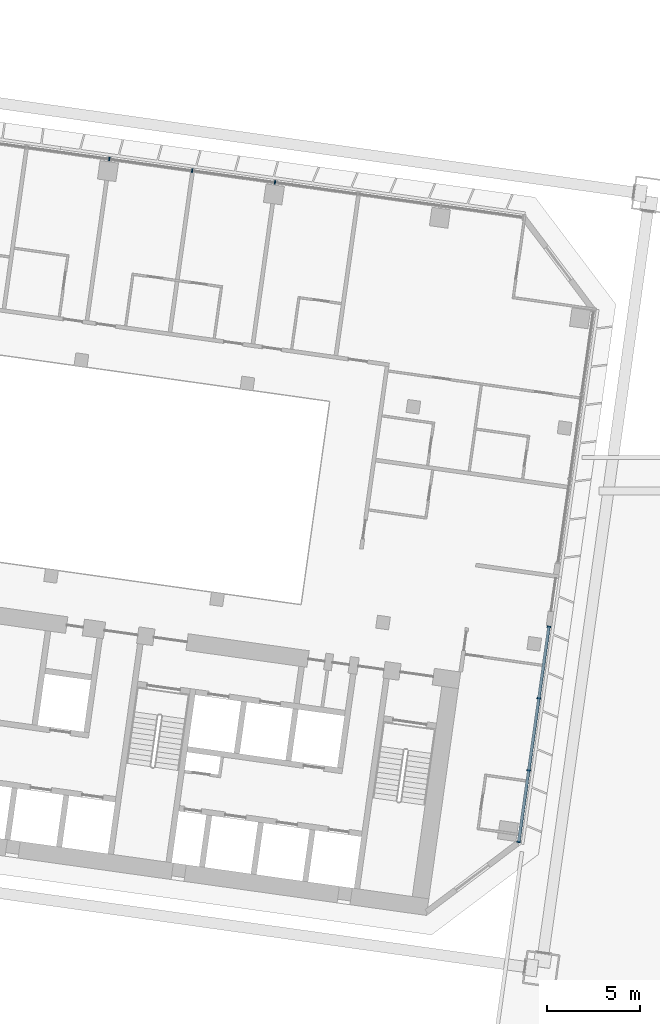
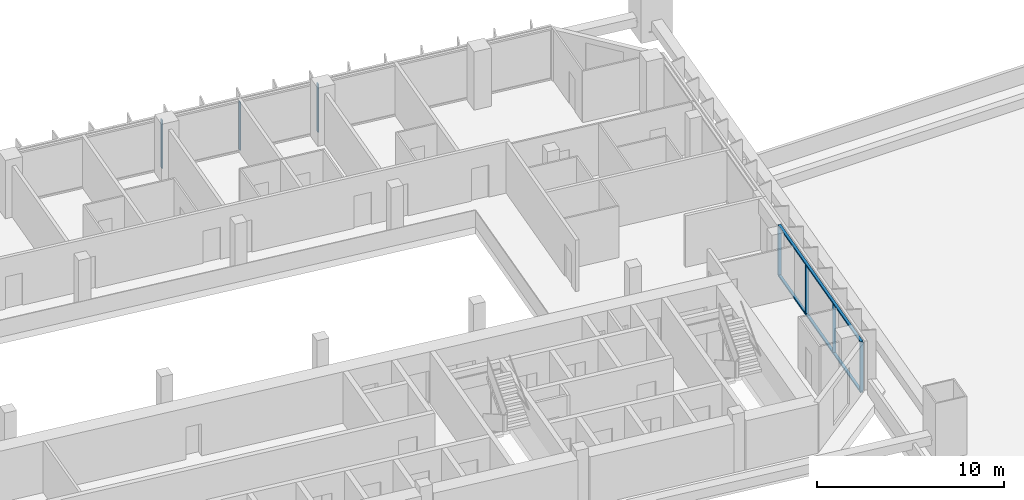
# One storey, part 10 of 46: 9 members, 2 elements without a shape of their own.
"""IFC4 building model written with IfcOpenShell, lengths in metres."""

import ifcopenshell
import ifcopenshell.guid

model = None  # the IFC model being written
_history = None  # IfcOwnerHistory: only IFC2X3 demands one
_inside = {}  # id of a spatial element -> (the spatial element, [elements in it])
_under = {}  # id of a project, library or spatial element -> (it, [spatial elements below it])
_declared = {}  # id of a project -> (the project, [libraries it declares])
_typed = {}  # id of a type object -> (the type object, [elements of that type])
_made_of = {}  # id of a material, layer set ... -> (it, [elements and type objects made of it])


def new_model(schema):
    """Start an empty IFC model of exactly this schema.

    Asked for "IFC4X3", IfcOpenShell would pick the latest addendum, in which some entities
    have other attributes; the version numbers below select the first issue.
    IFC2X3 requires an IfcOwnerHistory on every rooted entity: one is made here for all.
    """
    global model, _history
    if schema == "IFC4X3":
        model = ifcopenshell.file(schema_version=(4, 3, 0, 0))
    else:
        model = ifcopenshell.file(schema=schema)
    _inside.clear()
    _under.clear()
    _declared.clear()
    _typed.clear()
    _made_of.clear()
    _history = None
    if model.schema == "IFC2X3":
        org = make("IfcOrganization", Name="unknown")
        user = make(
            "IfcPersonAndOrganization",
            ThePerson=make("IfcPerson", FamilyName="unknown"),
            TheOrganization=org,
        )
        app = make(
            "IfcApplication",
            ApplicationDeveloper=org,
            Version="unknown",
            ApplicationFullName="unknown",
            ApplicationIdentifier="unknown",
        )
        _history = make(
            "IfcOwnerHistory",
            OwningUser=user,
            OwningApplication=app,
            ChangeAction="ADDED",
            CreationDate=0,
        )
    return model


def make(cls, **values):
    """One entity of the class cls with the attributes given. An attribute that is None is left unset."""
    return model.create_entity(
        cls, **{name: value for name, value in values.items() if value is not None}
    )


def rooted(cls, **values):
    """An entity with a GlobalId (a new one), such as an element, a storey or a relation."""
    return make(cls, GlobalId=ifcopenshell.guid.new(), OwnerHistory=_history, **values)


def si_unit(unit_type, name, prefix=None):
    """IfcSIUnit, for example si_unit("LENGTHUNIT", "METRE", prefix="MILLI")."""
    return make("IfcSIUnit", UnitType=unit_type, Prefix=prefix, Name=name)


def assignment(units):
    """IfcUnitAssignment: the units of a project."""
    return None if units is None else make("IfcUnitAssignment", Units=units)


def point(xyz):
    """IfcCartesianPoint."""
    return None if xyz is None else make("IfcCartesianPoint", Coordinates=xyz)


def direction(xyz):
    """IfcDirection."""
    return None if xyz is None else make("IfcDirection", DirectionRatios=xyz)


def frame(location, z_axis=None, x_axis=None):
    """IfcAxis2Placement3D, a coordinate frame: its origin and axes. An axis left out is left unset."""
    return make(
        "IfcAxis2Placement3D",
        Location=point(location),
        Axis=direction(z_axis),
        RefDirection=direction(x_axis),
    )


def frame_2d(location, x_axis=None):
    """IfcAxis2Placement2D, a coordinate frame in the plane: its origin and x axis."""
    return make(
        "IfcAxis2Placement2D", Location=point(location), RefDirection=direction(x_axis)
    )


def origin():
    """The frame at (0, 0, 0) with its axes left unset."""
    return frame((0.0, 0.0, 0.0))


def origin_2d():
    """The frame at (0, 0) in the plane with its x axis left unset."""
    return frame_2d((0.0, 0.0))


def place(relative_to, where):
    """IfcLocalPlacement: puts the frame where relative to a parent placement (None: the world)."""
    return make(
        "IfcLocalPlacement", PlacementRelTo=relative_to, RelativePlacement=where
    )


def context(
    kind, dimensions, precision=None, world=None, true_north=None, identifier=None
):
    """IfcGeometricRepresentationContext, for example the 3D "Model" context."""
    return make(
        "IfcGeometricRepresentationContext",
        ContextIdentifier=identifier,
        ContextType=kind,
        CoordinateSpaceDimension=dimensions,
        Precision=precision,
        WorldCoordinateSystem=world,
        TrueNorth=true_north,
    )


def subcontext(parent, identifier, kind, view, scale=None):
    """IfcGeometricRepresentationSubContext, for example "Body" below "Model"."""
    return make(
        "IfcGeometricRepresentationSubContext",
        ContextIdentifier=identifier,
        ContextType=kind,
        ParentContext=parent,
        TargetScale=scale,
        TargetView=view,
    )


def project(units=None, contexts=None):
    """IfcProject with its units and contexts."""
    return rooted(
        "IfcProject",
        Name="project",
        RepresentationContexts=contexts,
        UnitsInContext=assignment(units),
    )


def spatial(cls, under=None, at=None, **own):
    """A site, building, storey or space (cls), placed at a placement, below another one or the project."""
    s = rooted(cls, ObjectPlacement=at, **own)
    if under is not None:
        _under.setdefault(under.id(), (under, []))[1].append(s)
    return s


def profile(cls, at=None, kind="AREA", **sizes):
    """A parametric profile (cls). Its sizes go by their IFC names, for example OverallWidth=200.0."""
    return make(cls, ProfileType=kind, Position=at, **sizes)


def rectangle(**sizes):
    """IfcRectangleProfileDef."""
    return profile("IfcRectangleProfileDef", **sizes)


def extrude(swept, where, along, depth):
    """IfcExtrudedAreaSolid: the profile swept, set in the frame where, extruded along a direction by depth."""
    return make(
        "IfcExtrudedAreaSolid",
        SweptArea=swept,
        Position=where,
        ExtrudedDirection=direction(along),
        Depth=depth,
    )


def shape(context_of_items, identifier, shape_type, items):
    """IfcShapeRepresentation: the items that make up one representation, for example the "Body"."""
    return make(
        "IfcShapeRepresentation",
        ContextOfItems=context_of_items,
        RepresentationIdentifier=identifier,
        RepresentationType=shape_type,
        Items=items,
    )


def material(Name=None, Category=None):
    """IfcMaterial."""
    return make("IfcMaterial", Name=Name, Category=Category)


def material_profile(
    of_material, cross_section, Name=None, Category=None, Priority=None
):
    """IfcMaterialProfile: a cross section and its material."""
    return make(
        "IfcMaterialProfile",
        Name=Name,
        Material=of_material,
        Profile=cross_section,
        Priority=Priority,
        Category=Category,
    )


def profile_set(profiles, Name=None, composite=None):
    """IfcMaterialProfileSet."""
    return make(
        "IfcMaterialProfileSet",
        Name=Name,
        MaterialProfiles=profiles,
        CompositeProfile=composite,
    )


def made_of(thing, what):
    """Note that an element or type object is made of a material, layer set ...; save() writes the relation."""
    if what is not None:
        _made_of.setdefault(what.id(), (what, []))[1].append(thing)
    return thing


def type_object(cls, material=None, **own):
    """A type object (cls), such as IfcWallType, which elements share."""
    return made_of(rooted(cls, **own), material)


def element(
    cls,
    number,
    at=None,
    inside=None,
    cuts=None,
    type_object=None,
    material=None,
    context=None,
    identifier="Body",
    shape_type=None,
    held_by="IfcProductDefinitionShape",
    body=None,
    shapes=None,
    **own,
):
    """One element of the class cls, such as IfcWall. Its Tag is "e" and its number.

    at: its placement. inside: the storey or other place that contains it. cuts: it is an
    opening in that element (IfcRelVoidsElement). A single representation is given by context,
    identifier, shape_type and body (its items); several are given by shapes. held_by: the class
    of the entity that holds the representations. save() writes the other relations.
    """
    e = rooted(cls, Tag="e%d" % number, ObjectPlacement=at, **own)
    if body is not None:
        shapes = [shape(context, identifier, shape_type, body)]
    if shapes is not None:
        e.Representation = make(held_by, Representations=shapes)
    if inside is not None:
        _inside.setdefault(inside.id(), (inside, []))[1].append(e)
    if cuts is not None:
        rooted(
            "IfcRelVoidsElement", RelatingBuildingElement=cuts, RelatedOpeningElement=e
        )
    if type_object is not None:
        _typed.setdefault(type_object.id(), (type_object, []))[1].append(e)
    return made_of(e, material)


def aggregate(whole, parts):
    """IfcRelAggregates: a whole, such as a stair, and the parts it consists of."""
    return rooted("IfcRelAggregates", RelatingObject=whole, RelatedObjects=parts)


def save(model, path):
    """Write the relations noted so far, then the file.

    IfcRelAggregates (storeys below a building ...), IfcRelContainedInSpatialStructure (elements
    in a storey), IfcRelDefinesByType, IfcRelAssociatesMaterial and IfcRelDeclares: one each for
    every whole, place, type object, material and project.
    """
    for whole, parts in _under.values():
        aggregate(whole, parts)
    for where, things in _inside.values():
        rooted(
            "IfcRelContainedInSpatialStructure",
            RelatedElements=things,
            RelatingStructure=where,
        )
    for kind, things in _typed.values():
        rooted("IfcRelDefinesByType", RelatedObjects=things, RelatingType=kind)
    for what, things in _made_of.values():
        rooted("IfcRelAssociatesMaterial", RelatedObjects=things, RelatingMaterial=what)
    for by, libraries in _declared.values():
        rooted("IfcRelDeclares", RelatingContext=by, RelatedDefinitions=libraries)
    model.write(path)


model = new_model("IFC4")

# Units and contexts
model_context = context("Model", 3, precision=1e-05, world=origin(), true_north=direction((0.0, 1.0)))
body_context = subcontext(model_context, "Body", "Model", "MODEL_VIEW")
ifc_project = project(units=[si_unit("LENGTHUNIT", "METRE"), si_unit("AREAUNIT", "SQUARE_METRE"), si_unit("VOLUMEUNIT", "CUBIC_METRE"), si_unit("PLANEANGLEUNIT", "RADIAN"), si_unit("MASSUNIT", "GRAM", prefix="KILO")], contexts=[model_context])

# Site, building, storey
site_placement = place(None, origin())
site = spatial("IfcSite", under=ifc_project, at=site_placement, CompositionType="ELEMENT")
building_placement = place(site_placement, origin())
building = spatial("IfcBuilding", under=site, at=building_placement, Name="Mirante Cascada Hotel Towers", CompositionType="ELEMENT")
storey_placement = place(building_placement, frame((0.0, 0.0, 39.5)))
storey = spatial("IfcBuildingStorey", under=building, at=storey_placement, Name="L06", CompositionType="ELEMENT", Elevation=39.5)

# Curtain wall, members
ifc_material_1 = material(Name="Aluminium mullion and transom frame with clear laminated glass", Category="aluminium")
curtain_wall_type_1 = type_object("IfcCurtainWallType", Name="Ribbon curtain wall ECW1", PredefinedType="NOTDEFINED", material=ifc_material_1)
curtain_wall_1_placement = place(storey_placement, origin())
curtain_wall_1 = element("IfcCurtainWall", 1, at=curtain_wall_1_placement, inside=storey, type_object=curtain_wall_type_1, Name="Front ribbon wall T1 L06", PredefinedType="NOTDEFINED")
ifc_material_2 = material(Name="Anodised aluminium extrusion", Category="aluminium")
ifc_material_profile_1 = material_profile(ifc_material_2, rectangle(XDim=0.2, YDim=0.065, at=origin_2d()), Name="ECW1 MULLION 65x200")
ifc_profile_set_1 = profile_set([ifc_material_profile_1], Name="Anodised aluminium extrusion")
member_type_1 = type_object("IfcMemberType", Name="ECW1 mullion 65x200", PredefinedType="MULLION", material=ifc_profile_set_1)
member_1_placement = place(storey_placement, frame((-54.1314, 20.4267, 0.1), z_axis=(0.0, 0.0, 1.0), x_axis=(0.1391731, 0.9902681, 0.0)))
member_1 = element("IfcMember", 2, at=member_1_placement, type_object=member_type_1, Name="ECW1 mullion 10", PredefinedType="MULLION", context=body_context, shape_type="SweptSolid", body=[
    extrude(rectangle(XDim=0.2, YDim=0.065, at=origin_2d()), origin(), (0.0, 0.0, 1.0), 3.15),
])
member_2_placement = place(storey_placement, frame((-49.684, 19.8017, 0.1), z_axis=(0.0, 0.0, 1.0), x_axis=(0.1391731, 0.9902681, 0.0)))
member_2 = element("IfcMember", 3, at=member_2_placement, type_object=member_type_1, Name="ECW1 mullion 11", PredefinedType="MULLION", context=body_context, shape_type="SweptSolid", body=[
    extrude(rectangle(XDim=0.2, YDim=0.065, at=origin_2d()), origin(), (0.0, 0.0, 1.0), 3.15),
])
member_3_placement = place(storey_placement, frame((-45.2366, 19.1766, 0.1), z_axis=(0.0, 0.0, 1.0), x_axis=(0.1391731, 0.9902681, 0.0)))
member_3 = element("IfcMember", 4, at=member_3_placement, type_object=member_type_1, Name="ECW1 mullion 12", PredefinedType="MULLION", context=body_context, shape_type="SweptSolid", body=[
    extrude(rectangle(XDim=0.2, YDim=0.065, at=origin_2d()), origin(), (0.0, 0.0, 1.0), 3.15),
])
aggregate(curtain_wall_1, [member_1, member_2, member_3])

ifc_material_3 = material(Name="Aluminium mullion and transom frame with clear laminated glass", Category="aluminium")
curtain_wall_type_2 = type_object("IfcCurtainWallType", Name="End ribbon curtain wall ECW2", PredefinedType="NOTDEFINED", material=ifc_material_3)
curtain_wall_2_placement = place(storey_placement, origin())
curtain_wall_2 = element("IfcCurtainWall", 5, at=curtain_wall_2_placement, inside=storey, type_object=curtain_wall_type_2, Name="Inner end wall T1 L06 run 3", PredefinedType="NOTDEFINED")
ifc_material_4 = material(Name="Anodised aluminium extrusion", Category="aluminium")
ifc_material_profile_2 = material_profile(ifc_material_4, rectangle(XDim=0.2, YDim=0.065, at=origin_2d()), Name="ECW2 MULLION 65x200")
ifc_profile_set_2 = profile_set([ifc_material_profile_2], Name="Anodised aluminium extrusion")
member_type_2 = type_object("IfcMemberType", Name="ECW2 mullion 65x200", PredefinedType="MULLION", material=ifc_profile_set_2)
member_4_placement = place(storey_placement, frame((-30.5288, -4.685, 0.1), z_axis=(0.0, 0.0, 1.0), x_axis=(0.9902681, -0.1391731, 0.0)))
member_4 = element("IfcMember", 6, at=member_4_placement, type_object=member_type_2, Name="ECW2 mullion 1", PredefinedType="MULLION", context=body_context, shape_type="SweptSolid", body=[
    extrude(rectangle(XDim=0.2, YDim=0.065, at=origin_2d()), origin(), (0.0, 0.0, 1.0), 3.15),
])
member_5_placement = place(storey_placement, frame((-31.0688, -8.5274, 0.1), z_axis=(0.0, 0.0, 1.0), x_axis=(0.9902681, -0.1391731, 0.0)))
member_5 = element("IfcMember", 7, at=member_5_placement, type_object=member_type_2, Name="ECW2 mullion 2", PredefinedType="MULLION", context=body_context, shape_type="SweptSolid", body=[
    extrude(rectangle(XDim=0.2, YDim=0.065, at=origin_2d()), origin(), (0.0, 0.0, 1.0), 3.15),
])
member_6_placement = place(storey_placement, frame((-31.6134, -12.4019, 0.1), z_axis=(0.0, 0.0, 1.0), x_axis=(0.9902681, -0.1391731, 0.0)))
member_6 = element("IfcMember", 8, at=member_6_placement, type_object=member_type_2, Name="ECW2 mullion 3", PredefinedType="MULLION", context=body_context, shape_type="SweptSolid", body=[
    extrude(rectangle(XDim=0.2, YDim=0.065, at=origin_2d()), origin(), (0.0, 0.0, 1.0), 3.15),
])
member_7_placement = place(storey_placement, frame((-32.1534, -16.2443, 0.1), z_axis=(0.0, 0.0, 1.0), x_axis=(0.9902681, -0.1391731, 0.0)))
member_7 = element("IfcMember", 9, at=member_7_placement, type_object=member_type_2, Name="ECW2 mullion 4", PredefinedType="MULLION", context=body_context, shape_type="SweptSolid", body=[
    extrude(rectangle(XDim=0.2, YDim=0.065, at=origin_2d()), origin(), (0.0, 0.0, 1.0), 3.15),
])
ifc_material_5 = material(Name="Anodised aluminium extrusion", Category="aluminium")
ifc_material_profile_3 = material_profile(ifc_material_5, rectangle(XDim=0.16, YDim=0.1, at=origin_2d()), Name="ECW2 TRANSOM 100x160")
ifc_profile_set_3 = profile_set([ifc_material_profile_3], Name="Anodised aluminium extrusion")
member_type_3 = type_object("IfcMemberType", Name="ECW2 transom 100x160", PredefinedType="USERDEFINED", material=ifc_profile_set_3)
member_8_placement = place(storey_placement, frame((-30.5243, -4.6528, 0.05), z_axis=(-0.1391727, -0.9902681, 0.0), x_axis=(0.9902681, -0.1391727, 0.0)))
member_8 = element("IfcMember", 10, at=member_8_placement, type_object=member_type_3, Name="ECW2 sill transom", ObjectType="TRANSOM", PredefinedType="USERDEFINED", context=body_context, shape_type="SweptSolid", body=[
    extrude(rectangle(XDim=0.16, YDim=0.1, at=origin_2d()), origin(), (0.0, 0.0, 1.0), 11.7379),
])
member_9_placement = place(storey_placement, frame((-30.5243, -4.6528, 3.3), z_axis=(-0.1391727, -0.9902681, 0.0), x_axis=(0.9902681, -0.1391727, 0.0)))
member_9 = element("IfcMember", 11, at=member_9_placement, type_object=member_type_3, Name="ECW2 head transom", ObjectType="TRANSOM", PredefinedType="USERDEFINED", context=body_context, shape_type="SweptSolid", body=[
    extrude(rectangle(XDim=0.16, YDim=0.1, at=origin_2d()), origin(), (0.0, 0.0, 1.0), 11.7379),
])
aggregate(curtain_wall_2, [member_8, member_9, member_4, member_5, member_6, member_7])

save(model, "model.ifc")
